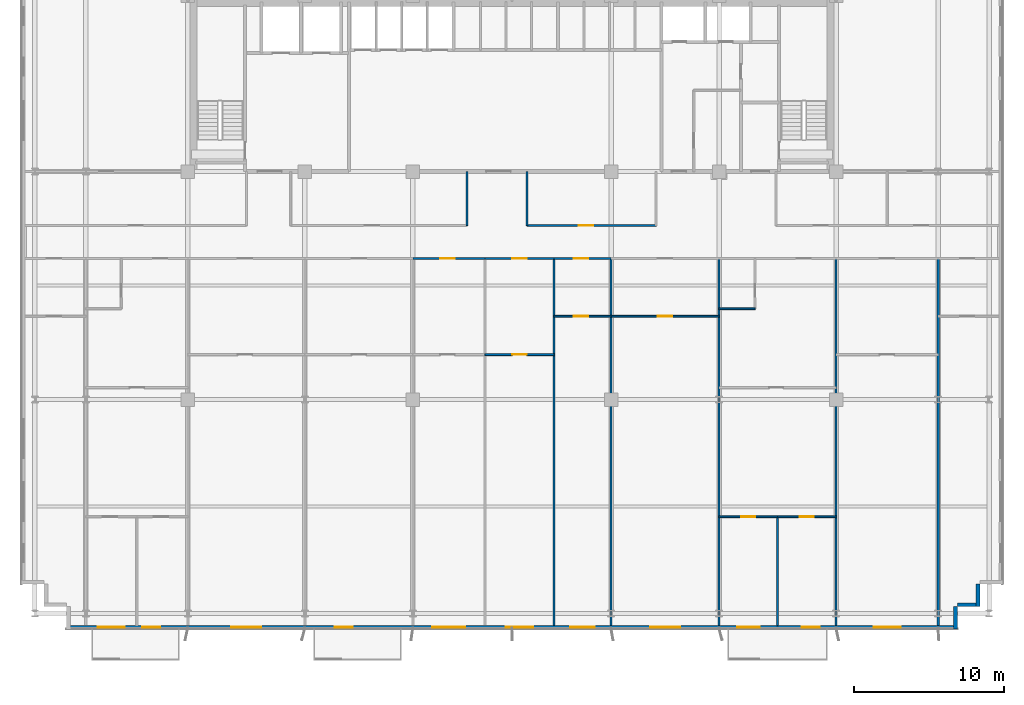
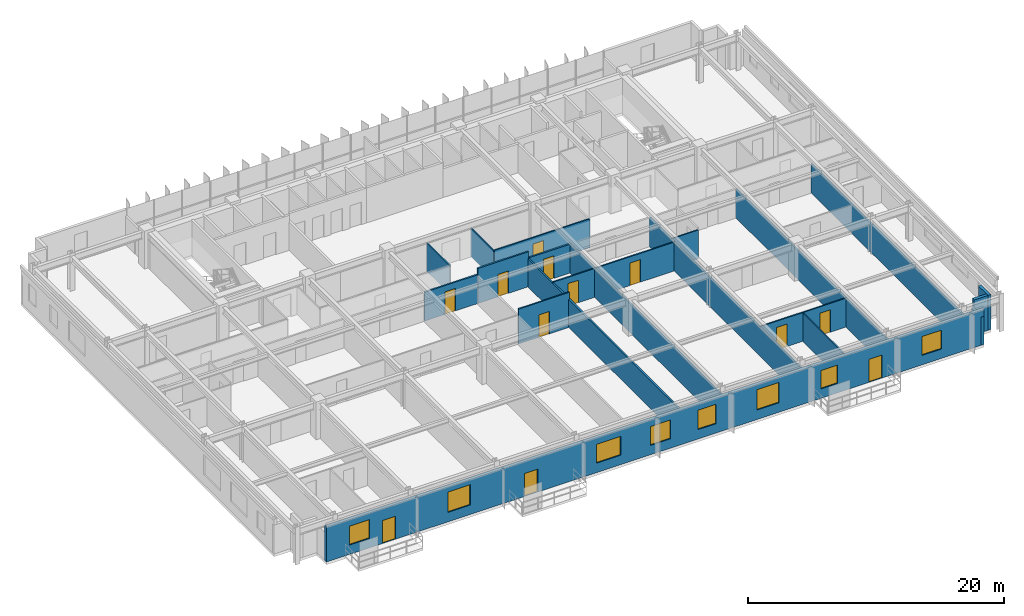
# One storey, part 16 of 22: 22 walls, 12 doors, 8 windows, 20 openings.
"""IFC4 building model written with IfcOpenShell, lengths in metres."""

from ifc_helpers import new_model, si_unit, direction, frame, frame_2d, origin, place, context, subcontext, project, spatial, rectangle, extrude, source, transform, mapped, material, layer, layer_set, type_object, element, fill, save


model = new_model("IFC4")

# Units and contexts
model_context = context("Model", 3, precision=1e-05, world=origin(), true_north=direction((0.0, 1.0)))
body_context = subcontext(model_context, "Body", "Model", "MODEL_VIEW")
ifc_project = project(units=[si_unit("LENGTHUNIT", "METRE"), si_unit("AREAUNIT", "SQUARE_METRE"), si_unit("VOLUMEUNIT", "CUBIC_METRE"), si_unit("PLANEANGLEUNIT", "RADIAN"), si_unit("MASSUNIT", "GRAM", prefix="KILO")], contexts=[model_context])

# Site, building, storey
site_placement = place(None, origin())
site = spatial("IfcSite", under=ifc_project, at=site_placement, CompositionType="ELEMENT")
building_placement = place(site_placement, origin())
building = spatial("IfcBuilding", under=site, at=building_placement, Name="Trelvane Seafront Commons", CompositionType="ELEMENT")
storey_placement = place(building_placement, frame((0.0, 0.0, 55.89990234375)))
storey = spatial("IfcBuildingStorey", under=building, at=storey_placement, Name="L14", CompositionType="ELEMENT", Elevation=55.89990234375)

# Walls
ifc_material_1 = material(Name="Precast concrete C40/50", Category="concrete")
ifc_layer_1 = layer(ifc_material_1, 0.260009765625, Name="ARCH-WALL-EXT260")
ifc_layer_set_1 = layer_set([ifc_layer_1], Name="Precast concrete C40/50")
wall_type_1 = type_object("IfcWallType", Name="ARCH-WALL-EXT260", PredefinedType="SOLIDWALL", material=ifc_layer_set_1)
for number, where, z_axis, x_axis, name in (
    (1, (68.27001953125, 5.89990234375, 0.0), (0.0, 0.0, 1.0), (0.0, -1.0, 0.0), "EW-L14-00250"),
    (2, (68.39990234375, 4.530029296875, 0.0), (0.0, 0.0, 1.0), (-1.0, 0.0, 0.0), "EW-L14-00251"),
):
    element("IfcWall", number, at=place(storey_placement, frame(where, z_axis=z_axis, x_axis=x_axis)), inside=storey, type_object=wall_type_1, Name=name, PredefinedType="SOLIDWALL", context=body_context, shape_type="SweptSolid", body=[
        extrude(rectangle(XDim=1.5, YDim=0.260009765625, at=frame_2d((0.75, 0.0))), origin(), (0.0, 0.0, 1.0), 3.340087890625),
    ])
wall_1_placement = place(storey_placement, frame((66.77001953125, 4.39990234375, 0.0), z_axis=(0.0, 0.0, 1.0), x_axis=(0.0, -1.0, 0.0)))
element("IfcWall", 3, at=wall_1_placement, inside=storey, type_object=wall_type_1, Name="EW-L14-00252", PredefinedType="SOLIDWALL", context=body_context, shape_type="SweptSolid", body=[
    extrude(rectangle(XDim=1.5, YDim=0.260009765625, at=frame_2d((0.75, 0.0))), origin(), (0.0, 0.0, 1.0), 2.690185546875),
])

# Wall, openings, doors, windows
wall_2_placement = place(storey_placement, frame((66.89990234375, 3.030029296875, 0.0), z_axis=(0.0, 0.0, 1.0), x_axis=(-1.0, 0.0, 0.0)))
wall_2 = element("IfcWall", 4, at=wall_2_placement, inside=storey, type_object=wall_type_1, Name="EW-L14-00253", PredefinedType="SOLIDWALL", context=body_context, shape_type="SweptSolid", body=[
    extrude(rectangle(XDim=59.39990234375, YDim=0.260009765625, at=frame_2d((29.699951171875, 0.0))), origin(), (0.0, 0.0, 1.0), 3.340087890625),
])
opening_1_placement = place(wall_2_placement, frame((3.800048828125, 0.0, 0.89990234375)))
opening_1 = element("IfcOpeningElement", 5, at=opening_1_placement, cuts=wall_2, Name="Opening W01", PredefinedType="OPENING", context=body_context, shape_type="SweptSolid", body=[
    extrude(rectangle(XDim=1.800048828125, YDim=1.800048828125, at=frame_2d((0.89990234375, 0.89990234375))), frame((0.0, 0.139892578125, 0.0), z_axis=(0.0, -1.0, 0.0), x_axis=(1.0, 0.0, 0.0)), (0.0, 0.0, 1.0), 0.280029296875),
])
opening_2_placement = place(wall_2_placement, frame((9.179931640625, 0.0, 0.0)))
opening_2 = element("IfcOpeningElement", 6, at=opening_2_placement, cuts=wall_2, Name="Opening BD-L14-36", PredefinedType="OPENING", context=body_context, shape_type="SweptSolid", body=[
    extrude(rectangle(XDim=1.199951171875, YDim=2.199951171875, at=frame_2d((0.60009765625, 1.10009765625))), frame((0.0, 0.139892578125, 0.0), z_axis=(0.0, -1.0, 0.0), x_axis=(1.0, 0.0, 0.0)), (0.0, 0.0, 1.0), 0.280029296875),
])
opening_3_placement = place(wall_2_placement, frame((13.199951171875, 0.0, 0.89990234375)))
opening_3 = element("IfcOpeningElement", 7, at=opening_3_placement, cuts=wall_2, Name="Opening W03", PredefinedType="OPENING", context=body_context, shape_type="SweptSolid", body=[
    extrude(rectangle(XDim=1.5, YDim=1.75, at=frame_2d((0.75, 0.875))), frame((0.0, 0.139892578125, 0.0), z_axis=(0.0, -1.0, 0.0), x_axis=(1.0, 0.0, 0.0)), (0.0, 0.0, 1.0), 0.280029296875),
])
opening_4_placement = place(wall_2_placement, frame((18.5, 0.0, 0.89990234375)))
opening_4 = element("IfcOpeningElement", 8, at=opening_4_placement, cuts=wall_2, Name="Opening W06", PredefinedType="OPENING", context=body_context, shape_type="SweptSolid", body=[
    extrude(rectangle(XDim=2.0, YDim=1.949951171875, at=frame_2d((1.0, 0.97509765625))), frame((0.0, 0.139892578125, 0.0), z_axis=(0.0, -1.0, 0.0), x_axis=(1.0, 0.0, 0.0)), (0.0, 0.0, 1.0), 0.280029296875),
])
opening_5_placement = place(wall_2_placement, frame((24.175048828125, 0.0, 0.89990234375)))
opening_5 = element("IfcOpeningElement", 9, at=opening_5_placement, cuts=wall_2, Name="Opening W07", PredefinedType="OPENING", context=body_context, shape_type="SweptSolid", body=[
    extrude(rectangle(XDim=1.64990234375, YDim=1.85009765625, at=frame_2d((0.824951171875, 0.925048828125))), frame((0.0, 0.139892578125, 0.0), z_axis=(0.0, -1.0, 0.0), x_axis=(1.0, 0.0, 0.0)), (0.0, 0.0, 1.0), 0.280029296875),
])
opening_6_placement = place(wall_2_placement, frame((28.300048828125, 0.0, 0.89990234375)))
opening_6 = element("IfcOpeningElement", 10, at=opening_6_placement, cuts=wall_2, Name="Opening W01", PredefinedType="OPENING", context=body_context, shape_type="SweptSolid", body=[
    extrude(rectangle(XDim=1.800048828125, YDim=1.800048828125, at=frame_2d((0.89990234375, 0.89990234375))), frame((0.0, 0.139892578125, 0.0), z_axis=(0.0, -1.0, 0.0), x_axis=(1.0, 0.0, 0.0)), (0.0, 0.0, 1.0), 0.280029296875),
])
opening_7_placement = place(wall_2_placement, frame((32.800048828125, 0.0, 0.89990234375)))
opening_7 = element("IfcOpeningElement", 11, at=opening_7_placement, cuts=wall_2, Name="Opening W02", PredefinedType="OPENING", context=body_context, shape_type="SweptSolid", body=[
    extrude(rectangle(XDim=2.199951171875, YDim=1.800048828125, at=frame_2d((1.10009765625, 0.89990234375))), frame((0.0, 0.139892578125, 0.0), z_axis=(0.0, -1.0, 0.0), x_axis=(1.0, 0.0, 0.0)), (0.0, 0.0, 1.0), 0.280029296875),
])
opening_8_placement = place(wall_2_placement, frame((40.301025390625, 0.0, 0.0)))
opening_8 = element("IfcOpeningElement", 12, at=opening_8_placement, cuts=wall_2, Name="Opening BD-L14-37", PredefinedType="OPENING", context=body_context, shape_type="SweptSolid", body=[
    extrude(rectangle(XDim=1.199951171875, YDim=2.199951171875, at=frame_2d((0.60009765625, 1.10009765625))), frame((0.0, 0.139892578125, 0.0), z_axis=(0.0, -1.0, 0.0), x_axis=(1.0, 0.0, 0.0)), (0.0, 0.0, 1.0), 0.280029296875),
])
opening_9_placement = place(wall_2_placement, frame((46.39990234375, 0.0, 0.89990234375)))
opening_9 = element("IfcOpeningElement", 13, at=opening_9_placement, cuts=wall_2, Name="Opening W06", PredefinedType="OPENING", context=body_context, shape_type="SweptSolid", body=[
    extrude(rectangle(XDim=2.0, YDim=1.949951171875, at=frame_2d((1.0, 0.97509765625))), frame((0.0, 0.139892578125, 0.0), z_axis=(0.0, -1.0, 0.0), x_axis=(1.0, 0.0, 0.0)), (0.0, 0.0, 1.0), 0.280029296875),
])
opening_10_placement = place(wall_2_placement, frame((53.135986328125, 0.0, 0.0)))
opening_10 = element("IfcOpeningElement", 14, at=opening_10_placement, cuts=wall_2, Name="Opening BD-L14-38", PredefinedType="OPENING", context=body_context, shape_type="SweptSolid", body=[
    extrude(rectangle(XDim=1.199951171875, YDim=2.199951171875, at=frame_2d((0.60009765625, 1.10009765625))), frame((0.0, 0.139892578125, 0.0), z_axis=(0.0, -1.0, 0.0), x_axis=(1.0, 0.0, 0.0)), (0.0, 0.0, 1.0), 0.280029296875),
])
opening_11_placement = place(wall_2_placement, frame((55.5, 0.0, 0.89990234375)))
opening_11 = element("IfcOpeningElement", 15, at=opening_11_placement, cuts=wall_2, Name="Opening W01", PredefinedType="OPENING", context=body_context, shape_type="SweptSolid", body=[
    extrude(rectangle(XDim=1.800048828125, YDim=1.800048828125, at=frame_2d((0.89990234375, 0.89990234375))), frame((0.0, 0.139892578125, 0.0), z_axis=(0.0, -1.0, 0.0), x_axis=(1.0, 0.0, 0.0)), (0.0, 0.0, 1.0), 0.280029296875),
])
ifc_material_2 = material(Name="Powder-coated aluminium frame", Category="aluminium")
door_type_1 = type_object("IfcDoorType", Name="ARCH-DR-BAL1200", OperationType="NOTDEFINED", PredefinedType="DOOR", material=ifc_material_2)
shared_shape_1 = source(origin(), body_context, "Body", "SweptSolid", [
    extrude(rectangle(XDim=1.199951171875, YDim=2.199951171875, at=frame_2d((0.60009765625, 1.10009765625))), frame((0.0, 0.02490234375, 0.0), z_axis=(0.0, -1.0, 0.0), x_axis=(1.0, 0.0, 0.0)), (0.0, 0.0, 1.0), 0.050048828125),
])
door_1_placement = place(opening_2_placement, origin())
door_1 = element("IfcDoor", 16, at=door_1_placement, inside=storey, type_object=door_type_1, Name="L14 Balcony Terrace Access Door", OperationType="SINGLE_SWING_LEFT", OverallHeight=2.199951171875, OverallWidth=1.199951171875, PredefinedType="DOOR", context=body_context, shape_type="MappedRepresentation", body=[
    mapped(shared_shape_1, transform((0.0, 0.0, 0.0), x_axis=(1.0, 0.0, 0.0), y_axis=(0.0, 1.0, 0.0), z_axis=(0.0, 0.0, 1.0), scale=1.0)),
])
fill(opening_2, door_1)
door_2_placement = place(opening_8_placement, origin())
door_2 = element("IfcDoor", 17, at=door_2_placement, inside=storey, type_object=door_type_1, Name="L14 Balcony Terrace Access Door", OperationType="SINGLE_SWING_LEFT", OverallHeight=2.199951171875, OverallWidth=1.199951171875, PredefinedType="DOOR", context=body_context, shape_type="MappedRepresentation", body=[
    mapped(shared_shape_1, transform((0.0, 0.0, 0.0), x_axis=(1.0, 0.0, 0.0), y_axis=(0.0, 1.0, 0.0), z_axis=(0.0, 0.0, 1.0), scale=1.0)),
])
fill(opening_8, door_2)
door_3_placement = place(opening_10_placement, origin())
door_3 = element("IfcDoor", 18, at=door_3_placement, inside=storey, type_object=door_type_1, Name="L14 Balcony Terrace Access Door", OperationType="SINGLE_SWING_LEFT", OverallHeight=2.199951171875, OverallWidth=1.199951171875, PredefinedType="DOOR", context=body_context, shape_type="MappedRepresentation", body=[
    mapped(shared_shape_1, transform((0.0, 0.0, 0.0), x_axis=(1.0, 0.0, 0.0), y_axis=(0.0, 1.0, 0.0), z_axis=(0.0, 0.0, 1.0), scale=1.0)),
])
fill(opening_10, door_3)
ifc_material_3 = material(Name="Low-E coastal double glazing", Category="glass")
window_type_1 = type_object("IfcWindowType", Name="ARCH-WIN-W02", PartitioningType="SINGLE_PANEL", PredefinedType="WINDOW", material=ifc_material_3)
shared_shape_2 = source(origin(), body_context, "Body", "SweptSolid", [
    extrude(rectangle(XDim=2.199951171875, YDim=1.800048828125, at=frame_2d((1.10009765625, 0.89990234375))), frame((0.0, 0.030029296875, 0.0), z_axis=(0.0, -1.0, 0.0), x_axis=(1.0, 0.0, 0.0)), (0.0, 0.0, 1.0), 0.06005859375),
])
window_1_placement = place(opening_7_placement, origin())
window_1 = element("IfcWindow", 19, at=window_1_placement, inside=storey, type_object=window_type_1, Name="WIN-L14-00307", OverallHeight=1.800048828125, OverallWidth=2.199951171875, PartitioningType="SINGLE_PANEL", PredefinedType="WINDOW", context=body_context, shape_type="MappedRepresentation", body=[
    mapped(shared_shape_2, transform((0.0, 0.0, 0.0), x_axis=(1.0, 0.0, 0.0), y_axis=(0.0, 1.0, 0.0), z_axis=(0.0, 0.0, 1.0), scale=1.0)),
])
fill(opening_7, window_1)
window_type_2 = type_object("IfcWindowType", Name="ARCH-WIN-W03", PartitioningType="SINGLE_PANEL", PredefinedType="WINDOW", material=ifc_material_3)
shared_shape_3 = source(origin(), body_context, "Body", "SweptSolid", [
    extrude(rectangle(XDim=1.5, YDim=1.75, at=frame_2d((0.75, 0.875))), frame((0.0, 0.030029296875, 0.0), z_axis=(0.0, -1.0, 0.0), x_axis=(1.0, 0.0, 0.0)), (0.0, 0.0, 1.0), 0.06005859375),
])
window_2_placement = place(opening_3_placement, origin())
window_2 = element("IfcWindow", 20, at=window_2_placement, inside=storey, type_object=window_type_2, Name="WIN-L14-00303", OverallHeight=1.75, OverallWidth=1.5, PartitioningType="SINGLE_PANEL", PredefinedType="WINDOW", context=body_context, shape_type="MappedRepresentation", body=[
    mapped(shared_shape_3, transform((0.0, 0.0, 0.0), x_axis=(1.0, 0.0, 0.0), y_axis=(0.0, 1.0, 0.0), z_axis=(0.0, 0.0, 1.0), scale=1.0)),
])
fill(opening_3, window_2)
window_type_3 = type_object("IfcWindowType", Name="ARCH-WIN-W06", PartitioningType="SINGLE_PANEL", PredefinedType="WINDOW", material=ifc_material_3)
shared_shape_4 = source(origin(), body_context, "Body", "SweptSolid", [
    extrude(rectangle(XDim=2.0, YDim=1.949951171875, at=frame_2d((1.0, 0.97509765625))), frame((0.0, 0.030029296875, 0.0), z_axis=(0.0, -1.0, 0.0), x_axis=(1.0, 0.0, 0.0)), (0.0, 0.0, 1.0), 0.06005859375),
])
window_3_placement = place(opening_4_placement, origin())
window_3 = element("IfcWindow", 21, at=window_3_placement, inside=storey, type_object=window_type_3, Name="WIN-L14-00304", OverallHeight=1.949951171875, OverallWidth=2.0, PartitioningType="SINGLE_PANEL", PredefinedType="WINDOW", context=body_context, shape_type="MappedRepresentation", body=[
    mapped(shared_shape_4, transform((0.0, 0.0, 0.0), x_axis=(1.0, 0.0, 0.0), y_axis=(0.0, 1.0, 0.0), z_axis=(0.0, 0.0, 1.0), scale=1.0)),
])
fill(opening_4, window_3)
window_4_placement = place(opening_9_placement, origin())
window_4 = element("IfcWindow", 22, at=window_4_placement, inside=storey, type_object=window_type_3, Name="WIN-L14-00308", OverallHeight=1.949951171875, OverallWidth=2.0, PartitioningType="SINGLE_PANEL", PredefinedType="WINDOW", context=body_context, shape_type="MappedRepresentation", body=[
    mapped(shared_shape_4, transform((0.0, 0.0, 0.0), x_axis=(1.0, 0.0, 0.0), y_axis=(0.0, 1.0, 0.0), z_axis=(0.0, 0.0, 1.0), scale=1.0)),
])
fill(opening_9, window_4)
window_type_4 = type_object("IfcWindowType", Name="ARCH-WIN-W01", PartitioningType="SINGLE_PANEL", PredefinedType="WINDOW", material=ifc_material_3)
shared_shape_5 = source(origin(), body_context, "Body", "SweptSolid", [
    extrude(rectangle(XDim=1.800048828125, YDim=1.800048828125, at=frame_2d((0.89990234375, 0.89990234375))), frame((0.0, 0.030029296875, 0.0), z_axis=(0.0, -1.0, 0.0), x_axis=(1.0, 0.0, 0.0)), (0.0, 0.0, 1.0), 0.06005859375),
])
window_5_placement = place(opening_1_placement, origin())
window_5 = element("IfcWindow", 23, at=window_5_placement, inside=storey, type_object=window_type_4, Name="WIN-L14-00302", OverallHeight=1.800048828125, OverallWidth=1.800048828125, PartitioningType="SINGLE_PANEL", PredefinedType="WINDOW", context=body_context, shape_type="MappedRepresentation", body=[
    mapped(shared_shape_5, transform((0.0, 0.0, 0.0), x_axis=(1.0, 0.0, 0.0), y_axis=(0.0, 1.0, 0.0), z_axis=(0.0, 0.0, 1.0), scale=1.0)),
])
fill(opening_1, window_5)
window_6_placement = place(opening_6_placement, origin())
window_6 = element("IfcWindow", 24, at=window_6_placement, inside=storey, type_object=window_type_4, Name="WIN-L14-00306", OverallHeight=1.800048828125, OverallWidth=1.800048828125, PartitioningType="SINGLE_PANEL", PredefinedType="WINDOW", context=body_context, shape_type="MappedRepresentation", body=[
    mapped(shared_shape_5, transform((0.0, 0.0, 0.0), x_axis=(1.0, 0.0, 0.0), y_axis=(0.0, 1.0, 0.0), z_axis=(0.0, 0.0, 1.0), scale=1.0)),
])
fill(opening_6, window_6)
window_7_placement = place(opening_11_placement, origin())
window_7 = element("IfcWindow", 25, at=window_7_placement, inside=storey, type_object=window_type_4, Name="WIN-L14-00309", OverallHeight=1.800048828125, OverallWidth=1.800048828125, PartitioningType="SINGLE_PANEL", PredefinedType="WINDOW", context=body_context, shape_type="MappedRepresentation", body=[
    mapped(shared_shape_5, transform((0.0, 0.0, 0.0), x_axis=(1.0, 0.0, 0.0), y_axis=(0.0, 1.0, 0.0), z_axis=(0.0, 0.0, 1.0), scale=1.0)),
])
fill(opening_11, window_7)
window_type_5 = type_object("IfcWindowType", Name="ARCH-WIN-W07", PartitioningType="SINGLE_PANEL", PredefinedType="WINDOW", material=ifc_material_3)
shared_shape_6 = source(origin(), body_context, "Body", "SweptSolid", [
    extrude(rectangle(XDim=1.64990234375, YDim=1.85009765625, at=frame_2d((0.824951171875, 0.925048828125))), frame((0.0, 0.030029296875, 0.0), z_axis=(0.0, -1.0, 0.0), x_axis=(1.0, 0.0, 0.0)), (0.0, 0.0, 1.0), 0.06005859375),
])
window_8_placement = place(opening_5_placement, origin())
window_8 = element("IfcWindow", 26, at=window_8_placement, inside=storey, type_object=window_type_5, Name="WIN-L14-00305", OverallHeight=1.85009765625, OverallWidth=1.64990234375, PartitioningType="SINGLE_PANEL", PredefinedType="WINDOW", context=body_context, shape_type="MappedRepresentation", body=[
    mapped(shared_shape_6, transform((0.0, 0.0, 0.0), x_axis=(1.0, 0.0, 0.0), y_axis=(0.0, 1.0, 0.0), z_axis=(0.0, 0.0, 1.0), scale=1.0)),
])
fill(opening_5, window_8)

# Wall, opening, door
ifc_material_4 = material(Name="Gypsum Drywall Acoustic Partition")
ifc_layer_2 = layer(ifc_material_4, 0.1201171875, Name="ARCH-WALL-PART120")
ifc_layer_set_2 = layer_set([ifc_layer_2], Name="Gypsum Drywall Acoustic Partition")
wall_type_2 = type_object("IfcWallType", Name="ARCH-WALL-PART120", PredefinedType="PARTITIONING", material=ifc_layer_set_2)
wall_3_placement = place(storey_placement, frame((38.199951171875, 29.800048828125, 0.0), z_axis=(0.0, 0.0, 1.0), x_axis=(1.0, 0.0, 0.0)))
wall_3 = element("IfcWall", 27, at=wall_3_placement, inside=storey, type_object=wall_type_2, Name="W-L14-CORR-N-M2-040", PredefinedType="PARTITIONING", context=body_context, shape_type="SweptSolid", body=[
    extrude(rectangle(XDim=8.60009765625, YDim=0.1201171875, at=frame_2d((4.300048828125, 0.0))), origin(), (0.0, 0.0, 1.0), 2.752197265625),
])
opening_12_placement = place(wall_3_placement, frame((3.4619140625, 0.0, 0.0)))
opening_12 = element("IfcOpeningElement", 28, at=opening_12_placement, cuts=wall_3, Name="Opening D-L14-19", PredefinedType="OPENING", context=body_context, shape_type="SweptSolid", body=[
    extrude(rectangle(XDim=0.949951171875, YDim=2.14990234375, at=frame_2d((0.47509765625, 1.074951171875))), frame((0.0, 0.070068359375, 0.0), z_axis=(0.0, -1.0, 0.0), x_axis=(1.0, 0.0, 0.0)), (0.0, 0.0, 1.0), 0.14013671875),
])
ifc_material_5 = material(Name="Acoustic timber door leaf", Category="wood")
door_type_2 = type_object("IfcDoorType", Name="ARCH-DR-INT950", OperationType="NOTDEFINED", PredefinedType="DOOR", material=ifc_material_5)
shared_shape_7 = source(origin(), body_context, "Body", "SweptSolid", [
    extrude(rectangle(XDim=0.949951171875, YDim=2.14990234375, at=frame_2d((0.47509765625, 1.074951171875))), frame((0.0, 0.02490234375, 0.0), z_axis=(0.0, -1.0, 0.0), x_axis=(1.0, 0.0, 0.0)), (0.0, 0.0, 1.0), 0.050048828125),
])
door_4_placement = place(opening_12_placement, origin())
door_4 = element("IfcDoor", 29, at=door_4_placement, inside=storey, type_object=door_type_2, Name="L14 Door 19", OperationType="SINGLE_SWING_LEFT", OverallHeight=2.14990234375, OverallWidth=0.949951171875, PredefinedType="DOOR", context=body_context, shape_type="MappedRepresentation", body=[
    mapped(shared_shape_7, transform((0.0, 0.0, 0.0), x_axis=(1.0, 0.0, 0.0), y_axis=(0.0, 1.0, 0.0), z_axis=(0.0, 0.0, 1.0), scale=1.0)),
])
fill(opening_12, door_4)

# Walls
for number, where, z_axis, x_axis, name in (
    (30, (34.199951171875, 29.800048828125, 0.0), (0.0, 0.0, 1.0), (0.0, 1.0, 0.0), "W-L14-N-SPUR-M1-045"),
    (31, (38.199951171875, 29.800048828125, 0.0), (0.0, 0.0, 1.0), (0.0, 1.0, 0.0), "W-L14-N-SPUR-M2-046"),
):
    element("IfcWall", number, at=place(storey_placement, frame(where, z_axis=z_axis, x_axis=x_axis)), inside=storey, type_object=wall_type_2, Name=name, PredefinedType="PARTITIONING", context=body_context, shape_type="SweptSolid", body=[
        extrude(rectangle(XDim=3.599853515625, YDim=0.1201171875, at=frame_2d((1.7998046875, 0.0))), origin(), (0.0, 0.0, 1.0), 2.690185546875),
    ])

# Wall, opening, door
wall_4_placement = place(storey_placement, frame((35.39990234375, 21.199951171875, 0.0), z_axis=(0.0, 0.0, 1.0), x_axis=(1.0, 0.0, 0.0)))
wall_4 = element("IfcWall", 32, at=wall_4_placement, inside=storey, type_object=wall_type_2, Name="W-L14-U6-DIV-080", PredefinedType="PARTITIONING", context=body_context, shape_type="SweptSolid", body=[
    extrude(rectangle(XDim=4.60009765625, YDim=0.1201171875, at=frame_2d((2.300048828125, 0.0))), origin(), (0.0, 0.0, 1.0), 3.340087890625),
])
opening_13_placement = place(wall_4_placement, frame((1.824951171875, 0.0, 0.0)))
opening_13 = element("IfcOpeningElement", 33, at=opening_13_placement, cuts=wall_4, Name="Opening D-L14-41", PredefinedType="OPENING", context=body_context, shape_type="SweptSolid", body=[
    extrude(rectangle(XDim=0.949951171875, YDim=2.14990234375, at=frame_2d((0.47509765625, 1.074951171875))), frame((0.0, 0.070068359375, 0.0), z_axis=(0.0, -1.0, 0.0), x_axis=(1.0, 0.0, 0.0)), (0.0, 0.0, 1.0), 0.14013671875),
])
door_5_placement = place(opening_13_placement, origin())
door_5 = element("IfcDoor", 34, at=door_5_placement, inside=storey, type_object=door_type_2, Name="L14 Door 41", OperationType="SINGLE_SWING_LEFT", OverallHeight=2.14990234375, OverallWidth=0.949951171875, PredefinedType="DOOR", context=body_context, shape_type="MappedRepresentation", body=[
    mapped(shared_shape_7, transform((0.0, 0.0, 0.0), x_axis=(1.0, 0.0, 0.0), y_axis=(0.0, 1.0, 0.0), z_axis=(0.0, 0.0, 1.0), scale=1.0)),
])
fill(opening_13, door_5)

wall_5_placement = place(storey_placement, frame((40.0, 23.75, 0.0), z_axis=(0.0, 0.0, 1.0), x_axis=(1.0, 0.0, 0.0)))
wall_5 = element("IfcWall", 35, at=wall_5_placement, inside=storey, type_object=wall_type_2, Name="W-L14-U7-DIV-082", PredefinedType="PARTITIONING", context=body_context, shape_type="SweptSolid", body=[
    extrude(rectangle(XDim=3.800048828125, YDim=0.1201171875, at=frame_2d((1.89990234375, 0.0))), origin(), (0.0, 0.0, 1.0), 2.752197265625),
])
opening_14_placement = place(wall_5_placement, frame((1.330078125, 0.0, 0.0)))
opening_14 = element("IfcOpeningElement", 36, at=opening_14_placement, cuts=wall_5, Name="Opening D-L14-43", PredefinedType="OPENING", context=body_context, shape_type="SweptSolid", body=[
    extrude(rectangle(XDim=0.949951171875, YDim=2.14990234375, at=frame_2d((0.47509765625, 1.074951171875))), frame((0.0, 0.070068359375, 0.0), z_axis=(0.0, -1.0, 0.0), x_axis=(1.0, 0.0, 0.0)), (0.0, 0.0, 1.0), 0.14013671875),
])
door_6_placement = place(opening_14_placement, origin())
door_6 = element("IfcDoor", 37, at=door_6_placement, inside=storey, type_object=door_type_2, Name="L14 Door 43", OperationType="SINGLE_SWING_LEFT", OverallHeight=2.14990234375, OverallWidth=0.949951171875, PredefinedType="DOOR", context=body_context, shape_type="MappedRepresentation", body=[
    mapped(shared_shape_7, transform((0.0, 0.0, 0.0), x_axis=(1.0, 0.0, 0.0), y_axis=(0.0, 1.0, 0.0), z_axis=(0.0, 0.0, 1.0), scale=1.0)),
])
fill(opening_14, door_6)

wall_6_placement = place(storey_placement, frame((43.800048828125, 23.75, 0.0), z_axis=(0.0, 0.0, 1.0), x_axis=(1.0, 0.0, 0.0)))
wall_6 = element("IfcWall", 38, at=wall_6_placement, inside=storey, type_object=wall_type_2, Name="W-L14-U8-DIV-084", PredefinedType="PARTITIONING", context=body_context, shape_type="SweptSolid", body=[
    extrude(rectangle(XDim=7.199951171875, YDim=0.1201171875, at=frame_2d((3.60009765625, 0.0))), origin(), (0.0, 0.0, 1.0), 2.752197265625),
])
opening_15_placement = place(wall_6_placement, frame((3.125, 0.0, 0.0)))
opening_15 = element("IfcOpeningElement", 39, at=opening_15_placement, cuts=wall_6, Name="Opening D-L14-45", PredefinedType="OPENING", context=body_context, shape_type="SweptSolid", body=[
    extrude(rectangle(XDim=0.949951171875, YDim=2.14990234375, at=frame_2d((0.47509765625, 1.074951171875))), frame((0.0, 0.070068359375, 0.0), z_axis=(0.0, -1.0, 0.0), x_axis=(1.0, 0.0, 0.0)), (0.0, 0.0, 1.0), 0.14013671875),
])
door_7_placement = place(opening_15_placement, origin())
door_7 = element("IfcDoor", 40, at=door_7_placement, inside=storey, type_object=door_type_2, Name="L14 Door 45", OperationType="SINGLE_SWING_LEFT", OverallHeight=2.14990234375, OverallWidth=0.949951171875, PredefinedType="DOOR", context=body_context, shape_type="MappedRepresentation", body=[
    mapped(shared_shape_7, transform((0.0, 0.0, 0.0), x_axis=(1.0, 0.0, 0.0), y_axis=(0.0, 1.0, 0.0), z_axis=(0.0, 0.0, 1.0), scale=1.0)),
])
fill(opening_15, door_7)

# Wall
wall_7_placement = place(storey_placement, frame((51.0, 24.25, 0.0), z_axis=(0.0, 0.0, 1.0), x_axis=(1.0, 0.0, 0.0)))
element("IfcWall", 41, at=wall_7_placement, inside=storey, type_object=wall_type_2, Name="W-L14-U9-BS-087", PredefinedType="PARTITIONING", context=body_context, shape_type="SweptSolid", body=[
    extrude(rectangle(XDim=2.39990234375, YDim=0.1201171875, at=frame_2d((1.199951171875, 0.0))), origin(), (0.0, 0.0, 1.0), 2.752197265625),
])

# Wall, opening, door
wall_8_placement = place(storey_placement, frame((51.0, 10.39990234375, 0.0), z_axis=(0.0, 0.0, 1.0), x_axis=(1.0, 0.0, 0.0)))
wall_8 = element("IfcWall", 42, at=wall_8_placement, inside=storey, type_object=wall_type_2, Name="W-L14-U9-YM-1-089", PredefinedType="PARTITIONING", context=body_context, shape_type="SweptSolid", body=[
    extrude(rectangle(XDim=3.89990234375, YDim=0.1201171875, at=frame_2d((1.949951171875, 0.0))), origin(), (0.0, 0.0, 1.0), 2.752197265625),
])
opening_16_placement = place(wall_8_placement, frame((1.47509765625, 0.0, 0.0)))
opening_16 = element("IfcOpeningElement", 43, at=opening_16_placement, cuts=wall_8, Name="Opening D-L14-49", PredefinedType="OPENING", context=body_context, shape_type="SweptSolid", body=[
    extrude(rectangle(XDim=0.949951171875, YDim=2.14990234375, at=frame_2d((0.47509765625, 1.074951171875))), frame((0.0, 0.070068359375, 0.0), z_axis=(0.0, -1.0, 0.0), x_axis=(1.0, 0.0, 0.0)), (0.0, 0.0, 1.0), 0.14013671875),
])
door_8_placement = place(opening_16_placement, origin())
door_8 = element("IfcDoor", 44, at=door_8_placement, inside=storey, type_object=door_type_2, Name="L14 Door 49", OperationType="SINGLE_SWING_LEFT", OverallHeight=2.14990234375, OverallWidth=0.949951171875, PredefinedType="DOOR", context=body_context, shape_type="MappedRepresentation", body=[
    mapped(shared_shape_7, transform((0.0, 0.0, 0.0), x_axis=(1.0, 0.0, 0.0), y_axis=(0.0, 1.0, 0.0), z_axis=(0.0, 0.0, 1.0), scale=1.0)),
])
fill(opening_16, door_8)

wall_9_placement = place(storey_placement, frame((54.89990234375, 10.39990234375, 0.0), z_axis=(0.0, 0.0, 1.0), x_axis=(1.0, 0.0, 0.0)))
wall_9 = element("IfcWall", 45, at=wall_9_placement, inside=storey, type_object=wall_type_2, Name="W-L14-U9-YM-2-090", PredefinedType="PARTITIONING", context=body_context, shape_type="SweptSolid", body=[
    extrude(rectangle(XDim=3.900146484375, YDim=0.1201171875, at=frame_2d((1.9501953125, 0.0))), origin(), (0.0, 0.0, 1.0), 2.752197265625),
])
opening_17_placement = place(wall_9_placement, frame((1.47509765625, 0.0, 0.0)))
opening_17 = element("IfcOpeningElement", 46, at=opening_17_placement, cuts=wall_9, Name="Opening D-L14-50", PredefinedType="OPENING", context=body_context, shape_type="SweptSolid", body=[
    extrude(rectangle(XDim=0.949951171875, YDim=2.14990234375, at=frame_2d((0.47509765625, 1.074951171875))), frame((0.0, 0.070068359375, 0.0), z_axis=(0.0, -1.0, 0.0), x_axis=(1.0, 0.0, 0.0)), (0.0, 0.0, 1.0), 0.14013671875),
])
door_9_placement = place(opening_17_placement, origin())
door_9 = element("IfcDoor", 47, at=door_9_placement, inside=storey, type_object=door_type_2, Name="L14 Door 50", OperationType="SINGLE_SWING_RIGHT", OverallHeight=2.14990234375, OverallWidth=0.949951171875, PredefinedType="DOOR", context=body_context, shape_type="MappedRepresentation", body=[
    mapped(shared_shape_7, transform((0.0, 0.0, 0.0), x_axis=(1.0, 0.0, 0.0), y_axis=(0.0, 1.0, 0.0), z_axis=(0.0, 0.0, 1.0), scale=1.0)),
])
fill(opening_17, door_9)

# Walls
wall_10_placement = place(storey_placement, frame((54.89990234375, 3.14501953125, 0.0), z_axis=(0.0, 0.0, 1.0), x_axis=(0.0, 1.0, 0.0)))
element("IfcWall", 48, at=wall_10_placement, inside=storey, type_object=wall_type_2, Name="W-L14-U9-BDV-1-091", PredefinedType="PARTITIONING", context=body_context, shape_type="SweptSolid", body=[
    extrude(rectangle(XDim=7.2548828125, YDim=0.1201171875, at=frame_2d((3.62744140625, 0.0))), origin(), (0.0, 0.0, 1.0), 2.690185546875),
])
ifc_layer_3 = layer(ifc_material_4, 0.14990234375, Name="ARCH-WALL-PART150")
ifc_layer_set_3 = layer_set([ifc_layer_3], Name="Gypsum Drywall Acoustic Partition")
wall_type_3 = type_object("IfcWallType", Name="ARCH-WALL-PART150", PredefinedType="PARTITIONING", material=ifc_layer_set_3)
wall_11_placement = place(storey_placement, frame((40.0, 3.14501953125, 0.0), z_axis=(0.0, 0.0, 1.0), x_axis=(0.0, 1.0, 0.0)))
element("IfcWall", 49, at=wall_11_placement, inside=storey, type_object=wall_type_3, Name="W-L14-PW-6-059", PredefinedType="PARTITIONING", context=body_context, shape_type="SweptSolid", body=[
    extrude(rectangle(XDim=24.455078125, YDim=0.14990234375, at=frame_2d((12.2275390625, 0.0))), origin(), (0.0, 0.0, 1.0), 2.690185546875),
])
for number, where, z_axis, x_axis, name in (
    (50, (43.800048828125, 3.14501953125, 0.0), (0.0, 0.0, 1.0), (0.0, 1.0, 0.0), "W-L14-PW-7-060"),
    (51, (51.0, 3.14501953125, 0.0), (0.0, 0.0, 1.0), (0.0, 1.0, 0.0), "W-L14-PW-8-061"),
    (52, (58.800048828125, 3.14501953125, 0.0), (0.0, 0.0, 1.0), (0.0, 1.0, 0.0), "W-L14-PW-9-062"),
    (53, (65.60009765625, 3.14501953125, 0.0), (0.0, 0.0, 1.0), (0.0, 1.0, 0.0), "W-L14-PW-10-063"),
):
    element("IfcWall", number, at=place(storey_placement, frame(where, z_axis=z_axis, x_axis=x_axis)), inside=storey, type_object=wall_type_3, Name=name, PredefinedType="PARTITIONING", context=body_context, shape_type="SweptSolid", body=[
        extrude(rectangle(XDim=24.455078125, YDim=0.14990234375, at=frame_2d((12.2275390625, 0.0))), origin(), (0.0, 0.0, 1.0), 2.752197265625),
    ])

# Wall, opening, door
wall_12_placement = place(storey_placement, frame((30.60009765625, 27.60009765625, 0.0), z_axis=(0.0, 0.0, 1.0), x_axis=(1.0, 0.0, 0.0)))
wall_12 = element("IfcWall", 54, at=wall_12_placement, inside=storey, type_object=wall_type_3, Name="W-L14-CS-BAY-5-077", PredefinedType="PARTITIONING", context=body_context, shape_type="SweptSolid", body=[
    extrude(rectangle(XDim=4.7998046875, YDim=0.14990234375, at=frame_2d((2.39990234375, 0.0))), origin(), (0.0, 0.0, 1.0), 2.752197265625),
])
opening_18_placement = place(wall_12_placement, frame((1.833984375, 0.0, 0.0)))
opening_18 = element("IfcOpeningElement", 55, at=opening_18_placement, cuts=wall_12, Name="Opening FD-L14-38", PredefinedType="OPENING", context=body_context, shape_type="SweptSolid", body=[
    extrude(rectangle(XDim=0.949951171875, YDim=2.14990234375, at=frame_2d((0.47509765625, 1.074951171875))), frame((0.0, 0.0849609375, 0.0), z_axis=(0.0, -1.0, 0.0), x_axis=(1.0, 0.0, 0.0)), (0.0, 0.0, 1.0), 0.169921875),
])
door_type_3 = type_object("IfcDoorType", Name="ARCH-DR-FD60-950", OperationType="NOTDEFINED", PredefinedType="DOOR", material=ifc_material_2)
door_10_placement = place(opening_18_placement, origin())
door_10 = element("IfcDoor", 56, at=door_10_placement, inside=storey, type_object=door_type_3, Name="L14 Bay 05 Entrance Door", OperationType="SINGLE_SWING_RIGHT", OverallHeight=2.14990234375, OverallWidth=0.949951171875, PredefinedType="DOOR", context=body_context, shape_type="MappedRepresentation", body=[
    mapped(shared_shape_7, transform((0.0, 0.0, 0.0), x_axis=(1.0, 0.0, 0.0), y_axis=(0.0, 1.0, 0.0), z_axis=(0.0, 0.0, 1.0), scale=1.0)),
])
fill(opening_18, door_10)

wall_13_placement = place(storey_placement, frame((35.39990234375, 27.60009765625, 0.0), z_axis=(0.0, 0.0, 1.0), x_axis=(1.0, 0.0, 0.0)))
wall_13 = element("IfcWall", 57, at=wall_13_placement, inside=storey, type_object=wall_type_3, Name="W-L14-CS-BAY-6-079", PredefinedType="PARTITIONING", context=body_context, shape_type="SweptSolid", body=[
    extrude(rectangle(XDim=4.60009765625, YDim=0.14990234375, at=frame_2d((2.300048828125, 0.0))), origin(), (0.0, 0.0, 1.0), 3.340087890625),
])
opening_19_placement = place(wall_13_placement, frame((1.824951171875, 0.0, 0.0)))
opening_19 = element("IfcOpeningElement", 58, at=opening_19_placement, cuts=wall_13, Name="Opening FD-L14-40", PredefinedType="OPENING", context=body_context, shape_type="SweptSolid", body=[
    extrude(rectangle(XDim=0.949951171875, YDim=2.14990234375, at=frame_2d((0.47509765625, 1.074951171875))), frame((0.0, 0.0849609375, 0.0), z_axis=(0.0, -1.0, 0.0), x_axis=(1.0, 0.0, 0.0)), (0.0, 0.0, 1.0), 0.169921875),
])
door_11_placement = place(opening_19_placement, origin())
door_11 = element("IfcDoor", 59, at=door_11_placement, inside=storey, type_object=door_type_3, Name="L14 Bay 06 Entrance Door", OperationType="SINGLE_SWING_RIGHT", OverallHeight=2.14990234375, OverallWidth=0.949951171875, PredefinedType="DOOR", context=body_context, shape_type="MappedRepresentation", body=[
    mapped(shared_shape_7, transform((0.0, 0.0, 0.0), x_axis=(1.0, 0.0, 0.0), y_axis=(0.0, 1.0, 0.0), z_axis=(0.0, 0.0, 1.0), scale=1.0)),
])
fill(opening_19, door_11)

wall_14_placement = place(storey_placement, frame((40.0, 27.60009765625, 0.0), z_axis=(0.0, 0.0, 1.0), x_axis=(1.0, 0.0, 0.0)))
wall_14 = element("IfcWall", 60, at=wall_14_placement, inside=storey, type_object=wall_type_3, Name="W-L14-CS-BAY-7-081", PredefinedType="PARTITIONING", context=body_context, shape_type="SweptSolid", body=[
    extrude(rectangle(XDim=3.800048828125, YDim=0.14990234375, at=frame_2d((1.89990234375, 0.0))), origin(), (0.0, 0.0, 1.0), 2.752197265625),
])
opening_20_placement = place(wall_14_placement, frame((1.330078125, 0.0, 0.0)))
opening_20 = element("IfcOpeningElement", 61, at=opening_20_placement, cuts=wall_14, Name="Opening FD-L14-42", PredefinedType="OPENING", context=body_context, shape_type="SweptSolid", body=[
    extrude(rectangle(XDim=0.949951171875, YDim=2.14990234375, at=frame_2d((0.47509765625, 1.074951171875))), frame((0.0, 0.0849609375, 0.0), z_axis=(0.0, -1.0, 0.0), x_axis=(1.0, 0.0, 0.0)), (0.0, 0.0, 1.0), 0.169921875),
])
door_12_placement = place(opening_20_placement, origin())
door_12 = element("IfcDoor", 62, at=door_12_placement, inside=storey, type_object=door_type_3, Name="L14 Bay 07 Entrance Door", OperationType="SINGLE_SWING_RIGHT", OverallHeight=2.14990234375, OverallWidth=0.949951171875, PredefinedType="DOOR", context=body_context, shape_type="MappedRepresentation", body=[
    mapped(shared_shape_7, transform((0.0, 0.0, 0.0), x_axis=(1.0, 0.0, 0.0), y_axis=(0.0, 1.0, 0.0), z_axis=(0.0, 0.0, 1.0), scale=1.0)),
])
fill(opening_20, door_12)

save(model, "model.ifc")
